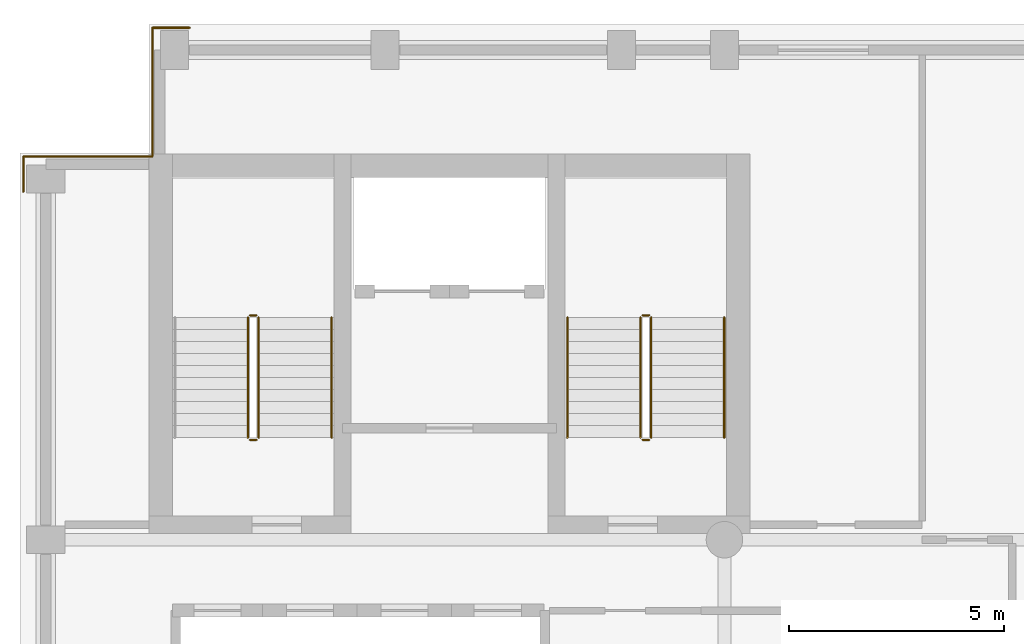
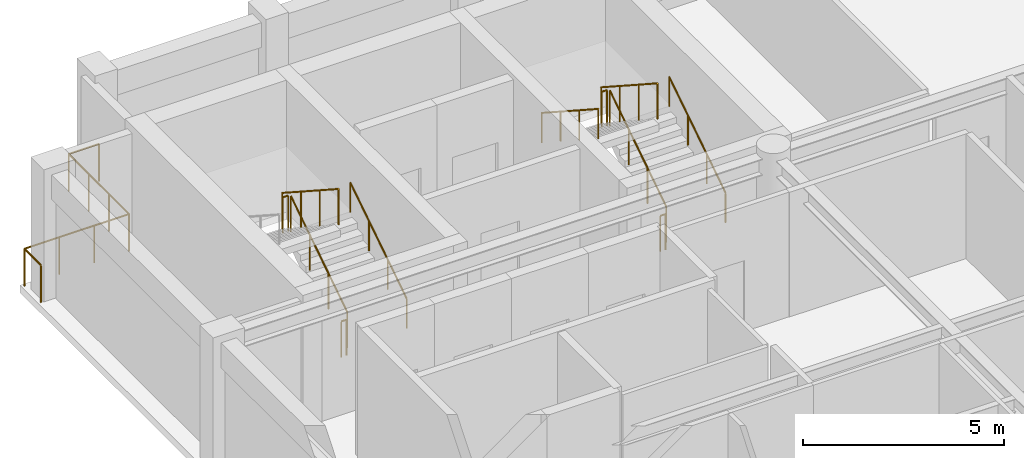
# One storey, part 6 of 7: 15 railings.
"""IFC4 building model written with IfcOpenShell, lengths in metres."""

from ifc_helpers import new_model, si_unit, direction, frame, origin, origin_2d, place, context, subcontext, project, spatial, circle, extrude, material, type_object, element, save


model = new_model("IFC4")

# Units and contexts
model_context = context("Model", 3, precision=1e-05, world=origin(), true_north=direction((0.0, 1.0)))
body_context = subcontext(model_context, "Body", "Model", "MODEL_VIEW")
ifc_project = project(units=[si_unit("LENGTHUNIT", "METRE"), si_unit("AREAUNIT", "SQUARE_METRE"), si_unit("VOLUMEUNIT", "CUBIC_METRE"), si_unit("PLANEANGLEUNIT", "RADIAN"), si_unit("MASSUNIT", "GRAM", prefix="KILO")], contexts=[model_context])

# Site, building, storey
site_placement = place(None, origin())
site = spatial("IfcSite", under=ifc_project, at=site_placement, CompositionType="ELEMENT")
building_placement = place(site_placement, origin())
building = spatial("IfcBuilding", under=site, at=building_placement, Name="Sulina Concourse Tower", CompositionType="ELEMENT")
storey_placement = place(building_placement, frame((0.0, 0.0, 301.0)))
storey = spatial("IfcBuildingStorey", under=building, at=storey_placement, Name="L73", CompositionType="ELEMENT", Elevation=301.0)

# Railings
ifc_material_1 = material(Name="Galvanised steel railing", Category="steel")
railing_type_1 = type_object("IfcRailingType", Name="Core Stair Steel Guardrail 1150mm", PredefinedType="GUARDRAIL", material=ifc_material_1)
railing_1_placement = place(storey_placement, frame((0.080078125, 42.10009765625, 0.0)))
element("IfcRailing", 1, at=railing_1_placement, inside=storey, type_object=railing_type_1, Name="L73 perimeter edge safety guardrail NW1", PredefinedType="GUARDRAIL", context=body_context, shape_type="SweptSolid", body=[
    extrude(circle(Radius=0.02392578125, at=origin_2d()), frame((0.0, 0.0, 1.1259765625), z_axis=(0.0, 1.0, 0.0), x_axis=(-1.0, 0.0, 0.0)), (0.0, 0.0, 1.0), 0.81982421875),
    extrude(circle(Radius=0.02099609375, at=origin_2d()), origin(), (0.0, 0.0, 1.0), 1.101806640625),
    extrude(circle(Radius=0.02099609375, at=origin_2d()), frame((0.0, 0.81982421875, 0.0)), (0.0, 0.0, 1.0), 1.101806640625),
])
railing_2_placement = place(storey_placement, frame((0.080078125, 42.919921875, 0.0)))
element("IfcRailing", 2, at=railing_2_placement, inside=storey, type_object=railing_type_1, Name="L73 perimeter edge safety guardrail NW2", PredefinedType="GUARDRAIL", context=body_context, shape_type="SweptSolid", body=[
    extrude(circle(Radius=0.02392578125, at=origin_2d()), frame((0.0, 0.0, 1.1259765625), z_axis=(1.0, 0.0, 0.0), x_axis=(0.0, 1.0, 0.0)), (0.0, 0.0, 1.0), 3.0),
    extrude(circle(Radius=0.02099609375, at=origin_2d()), origin(), (0.0, 0.0, 1.0), 1.101806640625),
    extrude(circle(Radius=0.02099609375, at=origin_2d()), frame((1.0, 0.0, 0.0)), (0.0, 0.0, 1.0), 1.101806640625),
    extrude(circle(Radius=0.02099609375, at=origin_2d()), frame((2.0, 0.0, 0.0)), (0.0, 0.0, 1.0), 1.101806640625),
    extrude(circle(Radius=0.02099609375, at=origin_2d()), frame((3.0, 0.0, 0.0)), (0.0, 0.0, 1.0), 1.101806640625),
])
railing_3_placement = place(storey_placement, frame((3.080078125, 42.919921875, 0.0)))
element("IfcRailing", 3, at=railing_3_placement, inside=storey, type_object=railing_type_1, Name="L73 perimeter edge safety guardrail NW3", PredefinedType="GUARDRAIL", context=body_context, shape_type="SweptSolid", body=[
    extrude(circle(Radius=0.02392578125, at=origin_2d()), frame((0.0, 0.0, 1.1259765625), z_axis=(0.0, 1.0, 0.0), x_axis=(-1.0, 0.0, 0.0)), (0.0, 0.0, 1.0), 3.0),
    extrude(circle(Radius=0.02099609375, at=origin_2d()), origin(), (0.0, 0.0, 1.0), 1.101806640625),
    extrude(circle(Radius=0.02099609375, at=origin_2d()), frame((0.0, 1.0, 0.0)), (0.0, 0.0, 1.0), 1.101806640625),
    extrude(circle(Radius=0.02099609375, at=origin_2d()), frame((0.0, 2.0, 0.0)), (0.0, 0.0, 1.0), 1.101806640625),
    extrude(circle(Radius=0.02099609375, at=origin_2d()), frame((0.0, 3.0, 0.0)), (0.0, 0.0, 1.0), 1.101806640625),
])
railing_4_placement = place(storey_placement, frame((3.080078125, 45.919921875, 0.0)))
element("IfcRailing", 4, at=railing_4_placement, inside=storey, type_object=railing_type_1, Name="L73 perimeter edge safety guardrail NW4", PredefinedType="GUARDRAIL", context=body_context, shape_type="SweptSolid", body=[
    extrude(circle(Radius=0.02392578125, at=origin_2d()), frame((0.0, 0.0, 1.1259765625), z_axis=(1.0, 0.0, 0.0), x_axis=(0.0, 1.0, 0.0)), (0.0, 0.0, 1.0), 0.869873046875),
    extrude(circle(Radius=0.02099609375, at=origin_2d()), origin(), (0.0, 0.0, 1.0), 1.101806640625),
    extrude(circle(Radius=0.02099609375, at=origin_2d()), frame((0.869873046875, 0.0, 0.0)), (0.0, 0.0, 1.0), 1.101806640625),
])
railing_5_placement = place(storey_placement, frame((5.554931640625, 36.375, 0.181884765625)))
element("IfcRailing", 5, at=railing_5_placement, inside=storey, type_object=railing_type_1, Name="L73 ST-1 stair guard 1", PredefinedType="GUARDRAIL", context=body_context, shape_type="SweptSolid", body=[
    extrude(circle(Radius=0.02392578125, at=origin_2d()), frame((0.0, 0.0, 1.076171875), z_axis=(0.0, 0.838705829183, 0.544584733623), x_axis=(-1.0, 0.0, 0.0)), (0.0, 0.0, 1.0), 3.338623046875),
    extrude(circle(Radius=0.02099609375, at=origin_2d()), origin(), (0.0, 0.0, 1.0), 1.052001953125),
    extrude(circle(Radius=0.02099609375, at=origin_2d()), frame((0.0, 0.933349609375, 0.60595703125)), (0.0, 0.0, 1.0), 1.052001953125),
    extrude(circle(Radius=0.02099609375, at=origin_2d()), frame((0.0, 1.86669921875, 1.212158203125)), (0.0, 0.0, 1.0), 1.052001953125),
    extrude(circle(Radius=0.02099609375, at=origin_2d()), frame((0.0, 2.800048828125, 1.818115234375)), (0.0, 0.0, 1.0), 1.052001953125),
])
railing_6_placement = place(storey_placement, frame((5.5048828125, 39.22509765625, 2.0)))
element("IfcRailing", 6, at=railing_6_placement, inside=storey, type_object=railing_type_1, Name="L73 ST-1 stair guard 2", PredefinedType="GUARDRAIL", context=body_context, shape_type="SweptSolid", body=[
    extrude(circle(Radius=0.02392578125, at=origin_2d()), frame((0.0, 0.0, 1.076171875), z_axis=(-1.0, 0.0, 0.0), x_axis=(0.0, -1.0, 0.0)), (0.0, 0.0, 1.0), 0.14990234375),
    extrude(circle(Radius=0.02099609375, at=origin_2d()), origin(), (0.0, 0.0, 1.0), 1.052001953125),
    extrude(circle(Radius=0.02099609375, at=origin_2d()), frame((-0.14990234375, 0.0, 0.0)), (0.0, 0.0, 1.0), 1.052001953125),
])
railing_7_placement = place(storey_placement, frame((5.304931640625, 39.175048828125, 2.181884765625)))
element("IfcRailing", 7, at=railing_7_placement, inside=storey, type_object=railing_type_1, Name="L73 ST-1 stair guard 3", PredefinedType="GUARDRAIL", context=body_context, shape_type="SweptSolid", body=[
    extrude(circle(Radius=0.02392578125, at=origin_2d()), frame((0.0, 0.0, 1.076171875), z_axis=(0.0, -0.838705829183, 0.544584733623), x_axis=(1.0, 0.0, 0.0)), (0.0, 0.0, 1.0), 3.338623046875),
    extrude(circle(Radius=0.02099609375, at=origin_2d()), origin(), (0.0, 0.0, 1.0), 1.052001953125),
    extrude(circle(Radius=0.02099609375, at=origin_2d()), frame((0.0, -0.933349609375, 0.60595703125)), (0.0, 0.0, 1.0), 1.052001953125),
    extrude(circle(Radius=0.02099609375, at=origin_2d()), frame((0.0, -1.86669921875, 1.212158203125)), (0.0, 0.0, 1.0), 1.052001953125),
    extrude(circle(Radius=0.02099609375, at=origin_2d()), frame((0.0, -2.800048828125, 1.818115234375)), (0.0, 0.0, 1.0), 1.052001953125),
])
railing_8_placement = place(storey_placement, frame((5.5048828125, 36.324951171875, 0.0)))
element("IfcRailing", 8, at=railing_8_placement, inside=storey, type_object=railing_type_1, Name="L73 ST-1 stair guard 4", PredefinedType="GUARDRAIL", context=body_context, shape_type="SweptSolid", body=[
    extrude(circle(Radius=0.02392578125, at=origin_2d()), frame((0.0, 0.0, 1.076171875), z_axis=(-1.0, 0.0, 0.0), x_axis=(0.0, -1.0, 0.0)), (0.0, 0.0, 1.0), 0.14990234375),
    extrude(circle(Radius=0.02099609375, at=origin_2d()), origin(), (0.0, 0.0, 1.0), 1.052001953125),
    extrude(circle(Radius=0.02099609375, at=origin_2d()), frame((-0.14990234375, 0.0, 0.0)), (0.0, 0.0, 1.0), 1.052001953125),
])
railing_9_placement = place(storey_placement, frame((14.695068359375, 36.375, 0.181884765625)))
element("IfcRailing", 9, at=railing_9_placement, inside=storey, type_object=railing_type_1, Name="L73 ST-2 stair guard 1", PredefinedType="GUARDRAIL", context=body_context, shape_type="SweptSolid", body=[
    extrude(circle(Radius=0.02392578125, at=origin_2d()), frame((0.0, 0.0, 1.076171875), z_axis=(0.0, 0.838705829183, 0.544584733623), x_axis=(-1.0, 0.0, 0.0)), (0.0, 0.0, 1.0), 3.338623046875),
    extrude(circle(Radius=0.02099609375, at=origin_2d()), origin(), (0.0, 0.0, 1.0), 1.052001953125),
    extrude(circle(Radius=0.02099609375, at=origin_2d()), frame((0.0, 0.933349609375, 0.60595703125)), (0.0, 0.0, 1.0), 1.052001953125),
    extrude(circle(Radius=0.02099609375, at=origin_2d()), frame((0.0, 1.86669921875, 1.212158203125)), (0.0, 0.0, 1.0), 1.052001953125),
    extrude(circle(Radius=0.02099609375, at=origin_2d()), frame((0.0, 2.800048828125, 1.818115234375)), (0.0, 0.0, 1.0), 1.052001953125),
])
railing_10_placement = place(storey_placement, frame((14.64501953125, 39.22509765625, 2.0)))
element("IfcRailing", 10, at=railing_10_placement, inside=storey, type_object=railing_type_1, Name="L73 ST-2 stair guard 2", PredefinedType="GUARDRAIL", context=body_context, shape_type="SweptSolid", body=[
    extrude(circle(Radius=0.02392578125, at=origin_2d()), frame((0.0, 0.0, 1.076171875), z_axis=(-1.0, 0.0, 0.0), x_axis=(0.0, -1.0, 0.0)), (0.0, 0.0, 1.0), 0.14990234375),
    extrude(circle(Radius=0.02099609375, at=origin_2d()), origin(), (0.0, 0.0, 1.0), 1.052001953125),
    extrude(circle(Radius=0.02099609375, at=origin_2d()), frame((-0.14990234375, 0.0, 0.0)), (0.0, 0.0, 1.0), 1.052001953125),
])
railing_11_placement = place(storey_placement, frame((14.445068359375, 39.175048828125, 2.181884765625)))
element("IfcRailing", 11, at=railing_11_placement, inside=storey, type_object=railing_type_1, Name="L73 ST-2 stair guard 3", PredefinedType="GUARDRAIL", context=body_context, shape_type="SweptSolid", body=[
    extrude(circle(Radius=0.02392578125, at=origin_2d()), frame((0.0, 0.0, 1.076171875), z_axis=(0.0, -0.838705829183, 0.544584733623), x_axis=(1.0, 0.0, 0.0)), (0.0, 0.0, 1.0), 3.338623046875),
    extrude(circle(Radius=0.02099609375, at=origin_2d()), origin(), (0.0, 0.0, 1.0), 1.052001953125),
    extrude(circle(Radius=0.02099609375, at=origin_2d()), frame((0.0, -0.933349609375, 0.60595703125)), (0.0, 0.0, 1.0), 1.052001953125),
    extrude(circle(Radius=0.02099609375, at=origin_2d()), frame((0.0, -1.86669921875, 1.212158203125)), (0.0, 0.0, 1.0), 1.052001953125),
    extrude(circle(Radius=0.02099609375, at=origin_2d()), frame((0.0, -2.800048828125, 1.818115234375)), (0.0, 0.0, 1.0), 1.052001953125),
])
railing_12_placement = place(storey_placement, frame((14.64501953125, 36.324951171875, 0.0)))
element("IfcRailing", 12, at=railing_12_placement, inside=storey, type_object=railing_type_1, Name="L73 ST-2 stair guard 4", PredefinedType="GUARDRAIL", context=body_context, shape_type="SweptSolid", body=[
    extrude(circle(Radius=0.02392578125, at=origin_2d()), frame((0.0, 0.0, 1.076171875), z_axis=(-1.0, 0.0, 0.0), x_axis=(0.0, -1.0, 0.0)), (0.0, 0.0, 1.0), 0.14990234375),
    extrude(circle(Radius=0.02099609375, at=origin_2d()), origin(), (0.0, 0.0, 1.0), 1.052001953125),
    extrude(circle(Radius=0.02099609375, at=origin_2d()), frame((-0.14990234375, 0.0, 0.0)), (0.0, 0.0, 1.0), 1.052001953125),
])
ifc_material_2 = material(Name="Galvanised steel railing", Category="steel")
railing_type_2 = type_object("IfcRailingType", Name="Stair Wall Steel Handrail 920mm", PredefinedType="HANDRAIL", material=ifc_material_2)
for number, where, name in (
    (13, (7.2548828125, 36.375, 0.181884765625), "L73 ST-1 stair handrail 1"),
    (14, (16.39501953125, 36.375, 0.181884765625), "L73 ST-2 stair handrail 1"),
):
    element("IfcRailing", number, at=place(storey_placement, frame(where)), inside=storey, type_object=railing_type_2, Name=name, PredefinedType="HANDRAIL", context=body_context, shape_type="SweptSolid", body=[
        extrude(circle(Radius=0.02392578125, at=origin_2d()), frame((0.0, 0.0, 0.89599609375), z_axis=(0.0, 0.838705829183, 0.544584733623), x_axis=(-1.0, 0.0, 0.0)), (0.0, 0.0, 1.0), 3.338623046875),
        extrude(circle(Radius=0.02099609375, at=origin_2d()), origin(), (0.0, 0.0, 1.0), 0.871826171875),
        extrude(circle(Radius=0.02099609375, at=origin_2d()), frame((0.0, 0.933349609375, 0.60595703125)), (0.0, 0.0, 1.0), 0.871826171875),
        extrude(circle(Radius=0.02099609375, at=origin_2d()), frame((0.0, 1.86669921875, 1.212158203125)), (0.0, 0.0, 1.0), 0.871826171875),
        extrude(circle(Radius=0.02099609375, at=origin_2d()), frame((0.0, 2.800048828125, 1.818115234375)), (0.0, 0.0, 1.0), 0.871826171875),
    ])
railing_13_placement = place(storey_placement, frame((12.7451171875, 39.175048828125, 2.181884765625)))
element("IfcRailing", 15, at=railing_13_placement, inside=storey, type_object=railing_type_2, Name="L73 ST-2 stair handrail 2", PredefinedType="HANDRAIL", context=body_context, shape_type="SweptSolid", body=[
    extrude(circle(Radius=0.02392578125, at=origin_2d()), frame((0.0, 0.0, 0.89599609375), z_axis=(0.0, -0.838705829183, 0.544584733623), x_axis=(1.0, 0.0, 0.0)), (0.0, 0.0, 1.0), 3.338623046875),
    extrude(circle(Radius=0.02099609375, at=origin_2d()), origin(), (0.0, 0.0, 1.0), 0.871826171875),
    extrude(circle(Radius=0.02099609375, at=origin_2d()), frame((0.0, -0.933349609375, 0.60595703125)), (0.0, 0.0, 1.0), 0.871826171875),
    extrude(circle(Radius=0.02099609375, at=origin_2d()), frame((0.0, -1.86669921875, 1.212158203125)), (0.0, 0.0, 1.0), 0.871826171875),
    extrude(circle(Radius=0.02099609375, at=origin_2d()), frame((0.0, -2.800048828125, 1.818115234375)), (0.0, 0.0, 1.0), 0.871826171875),
])

save(model, "model.ifc")
